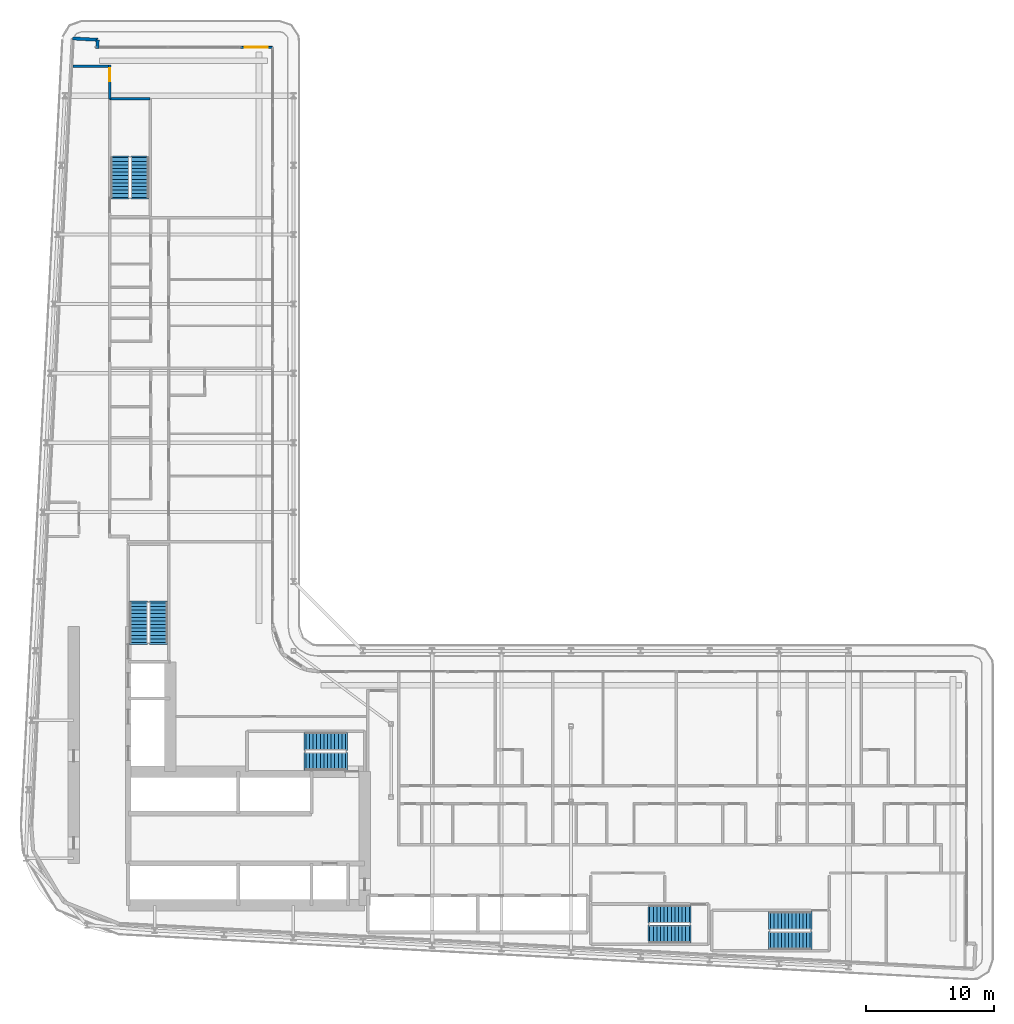
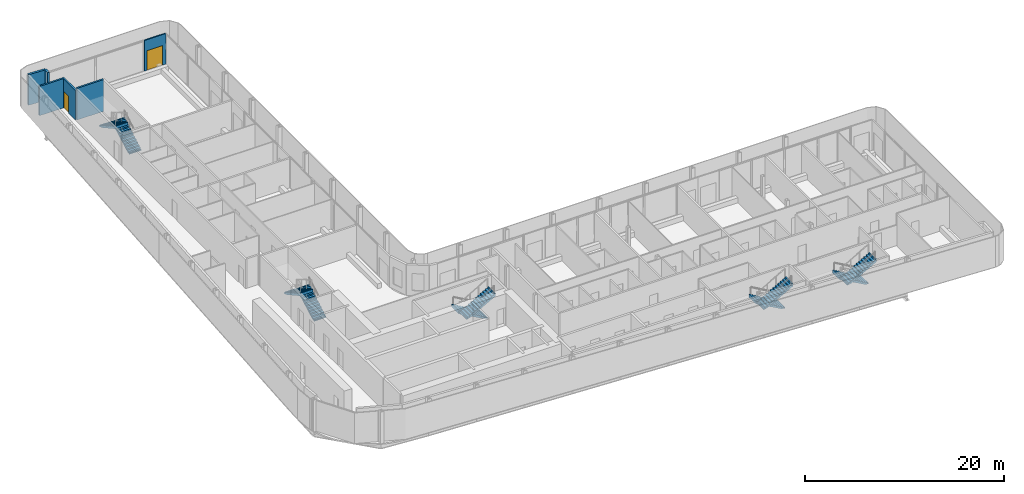
# One storey, part 19 of 26: 10 stair flights, 6 walls, 2 doors, 2 openings, 5 elements without a shape of their own.
"""IFC4 building model written with IfcOpenShell, lengths in metres."""

import ifcopenshell
import ifcopenshell.guid

model = None  # the IFC model being written
_history = None  # IfcOwnerHistory: only IFC2X3 demands one
_inside = {}  # id of a spatial element -> (the spatial element, [elements in it])
_under = {}  # id of a project, library or spatial element -> (it, [spatial elements below it])
_declared = {}  # id of a project -> (the project, [libraries it declares])
_typed = {}  # id of a type object -> (the type object, [elements of that type])
_made_of = {}  # id of a material, layer set ... -> (it, [elements and type objects made of it])


def new_model(schema):
    """Start an empty IFC model of exactly this schema.

    Asked for "IFC4X3", IfcOpenShell would pick the latest addendum, in which some entities
    have other attributes; the version numbers below select the first issue.
    IFC2X3 requires an IfcOwnerHistory on every rooted entity: one is made here for all.
    """
    global model, _history
    if schema == "IFC4X3":
        model = ifcopenshell.file(schema_version=(4, 3, 0, 0))
    else:
        model = ifcopenshell.file(schema=schema)
    _inside.clear()
    _under.clear()
    _declared.clear()
    _typed.clear()
    _made_of.clear()
    _history = None
    if model.schema == "IFC2X3":
        org = make("IfcOrganization", Name="unknown")
        user = make(
            "IfcPersonAndOrganization",
            ThePerson=make("IfcPerson", FamilyName="unknown"),
            TheOrganization=org,
        )
        app = make(
            "IfcApplication",
            ApplicationDeveloper=org,
            Version="unknown",
            ApplicationFullName="unknown",
            ApplicationIdentifier="unknown",
        )
        _history = make(
            "IfcOwnerHistory",
            OwningUser=user,
            OwningApplication=app,
            ChangeAction="ADDED",
            CreationDate=0,
        )
    return model


def make(cls, **values):
    """One entity of the class cls with the attributes given. An attribute that is None is left unset."""
    return model.create_entity(
        cls, **{name: value for name, value in values.items() if value is not None}
    )


def rooted(cls, **values):
    """An entity with a GlobalId (a new one), such as an element, a storey or a relation."""
    return make(cls, GlobalId=ifcopenshell.guid.new(), OwnerHistory=_history, **values)


def si_unit(unit_type, name, prefix=None):
    """IfcSIUnit, for example si_unit("LENGTHUNIT", "METRE", prefix="MILLI")."""
    return make("IfcSIUnit", UnitType=unit_type, Prefix=prefix, Name=name)


def assignment(units):
    """IfcUnitAssignment: the units of a project."""
    return None if units is None else make("IfcUnitAssignment", Units=units)


def point(xyz):
    """IfcCartesianPoint."""
    return None if xyz is None else make("IfcCartesianPoint", Coordinates=xyz)


def direction(xyz):
    """IfcDirection."""
    return None if xyz is None else make("IfcDirection", DirectionRatios=xyz)


def frame(location, z_axis=None, x_axis=None):
    """IfcAxis2Placement3D, a coordinate frame: its origin and axes. An axis left out is left unset."""
    return make(
        "IfcAxis2Placement3D",
        Location=point(location),
        Axis=direction(z_axis),
        RefDirection=direction(x_axis),
    )


def frame_2d(location, x_axis=None):
    """IfcAxis2Placement2D, a coordinate frame in the plane: its origin and x axis."""
    return make(
        "IfcAxis2Placement2D", Location=point(location), RefDirection=direction(x_axis)
    )


def origin():
    """The frame at (0, 0, 0) with its axes left unset."""
    return frame((0.0, 0.0, 0.0))


def place(relative_to, where):
    """IfcLocalPlacement: puts the frame where relative to a parent placement (None: the world)."""
    return make(
        "IfcLocalPlacement", PlacementRelTo=relative_to, RelativePlacement=where
    )


def context(
    kind, dimensions, precision=None, world=None, true_north=None, identifier=None
):
    """IfcGeometricRepresentationContext, for example the 3D "Model" context."""
    return make(
        "IfcGeometricRepresentationContext",
        ContextIdentifier=identifier,
        ContextType=kind,
        CoordinateSpaceDimension=dimensions,
        Precision=precision,
        WorldCoordinateSystem=world,
        TrueNorth=true_north,
    )


def subcontext(parent, identifier, kind, view, scale=None):
    """IfcGeometricRepresentationSubContext, for example "Body" below "Model"."""
    return make(
        "IfcGeometricRepresentationSubContext",
        ContextIdentifier=identifier,
        ContextType=kind,
        ParentContext=parent,
        TargetScale=scale,
        TargetView=view,
    )


def project(units=None, contexts=None):
    """IfcProject with its units and contexts."""
    return rooted(
        "IfcProject",
        Name="project",
        RepresentationContexts=contexts,
        UnitsInContext=assignment(units),
    )


def spatial(cls, under=None, at=None, **own):
    """A site, building, storey or space (cls), placed at a placement, below another one or the project."""
    s = rooted(cls, ObjectPlacement=at, **own)
    if under is not None:
        _under.setdefault(under.id(), (under, []))[1].append(s)
    return s


def polyline(points):
    """IfcPolyline through the points."""
    return make("IfcPolyline", Points=[point(p) for p in points])


def profile(cls, at=None, kind="AREA", **sizes):
    """A parametric profile (cls). Its sizes go by their IFC names, for example OverallWidth=200.0."""
    return make(cls, ProfileType=kind, Position=at, **sizes)


def rectangle(**sizes):
    """IfcRectangleProfileDef."""
    return profile("IfcRectangleProfileDef", **sizes)


def outline(outer, holes=None, kind="AREA"):
    """IfcArbitraryClosedProfileDef: a profile drawn as a closed curve; with holes, ...WithVoids."""
    if holes is None:
        return make("IfcArbitraryClosedProfileDef", ProfileType=kind, OuterCurve=outer)
    return make(
        "IfcArbitraryProfileDefWithVoids",
        ProfileType=kind,
        OuterCurve=outer,
        InnerCurves=holes,
    )


def extrude(swept, where, along, depth):
    """IfcExtrudedAreaSolid: the profile swept, set in the frame where, extruded along a direction by depth."""
    return make(
        "IfcExtrudedAreaSolid",
        SweptArea=swept,
        Position=where,
        ExtrudedDirection=direction(along),
        Depth=depth,
    )


def shape(context_of_items, identifier, shape_type, items):
    """IfcShapeRepresentation: the items that make up one representation, for example the "Body"."""
    return make(
        "IfcShapeRepresentation",
        ContextOfItems=context_of_items,
        RepresentationIdentifier=identifier,
        RepresentationType=shape_type,
        Items=items,
    )


def source(mapping_origin, context_of_items, identifier, shape_type, items):
    """IfcRepresentationMap: a shape defined once, which mapped items show again and again."""
    return make(
        "IfcRepresentationMap",
        MappingOrigin=mapping_origin,
        MappedRepresentation=shape(context_of_items, identifier, shape_type, items),
    )


def transform(
    local_origin,
    x_axis=None,
    y_axis=None,
    z_axis=None,
    scale=None,
    scale2=None,
    scale3=None,
    uniform=True,
):
    """IfcCartesianTransformationOperator3D, or its non-uniform kind. x_axis, y_axis, z_axis: its Axis1, 2, 3."""
    if uniform:
        return make(
            "IfcCartesianTransformationOperator3D",
            Axis1=direction(x_axis),
            Axis2=direction(y_axis),
            LocalOrigin=point(local_origin),
            Scale=scale,
            Axis3=direction(z_axis),
        )
    return make(
        "IfcCartesianTransformationOperator3DnonUniform",
        Axis1=direction(x_axis),
        Axis2=direction(y_axis),
        LocalOrigin=point(local_origin),
        Scale=scale,
        Axis3=direction(z_axis),
        Scale2=scale2,
        Scale3=scale3,
    )


def mapped(mapping_source, mapping_target):
    """IfcMappedItem: shows the shape of a source again, moved by a transform."""
    return make(
        "IfcMappedItem", MappingSource=mapping_source, MappingTarget=mapping_target
    )


def material(Name=None, Category=None):
    """IfcMaterial."""
    return make("IfcMaterial", Name=Name, Category=Category)


def layer(
    of_material, thickness, ventilated=None, Name=None, Category=None, Priority=None
):
    """IfcMaterialLayer: one layer of a wall or slab, of a material (None: an air gap)."""
    return make(
        "IfcMaterialLayer",
        Material=of_material,
        LayerThickness=thickness,
        IsVentilated=ventilated,
        Name=Name,
        Category=Category,
        Priority=Priority,
    )


def layer_set(layers, Name=None):
    """IfcMaterialLayerSet."""
    return make("IfcMaterialLayerSet", MaterialLayers=layers, LayerSetName=Name)


def made_of(thing, what):
    """Note that an element or type object is made of a material, layer set ...; save() writes the relation."""
    if what is not None:
        _made_of.setdefault(what.id(), (what, []))[1].append(thing)
    return thing


def type_object(cls, material=None, **own):
    """A type object (cls), such as IfcWallType, which elements share."""
    return made_of(rooted(cls, **own), material)


def element(
    cls,
    number,
    at=None,
    inside=None,
    cuts=None,
    type_object=None,
    material=None,
    context=None,
    identifier="Body",
    shape_type=None,
    held_by="IfcProductDefinitionShape",
    body=None,
    shapes=None,
    **own,
):
    """One element of the class cls, such as IfcWall. Its Tag is "e" and its number.

    at: its placement. inside: the storey or other place that contains it. cuts: it is an
    opening in that element (IfcRelVoidsElement). A single representation is given by context,
    identifier, shape_type and body (its items); several are given by shapes. held_by: the class
    of the entity that holds the representations. save() writes the other relations.
    """
    e = rooted(cls, Tag="e%d" % number, ObjectPlacement=at, **own)
    if body is not None:
        shapes = [shape(context, identifier, shape_type, body)]
    if shapes is not None:
        e.Representation = make(held_by, Representations=shapes)
    if inside is not None:
        _inside.setdefault(inside.id(), (inside, []))[1].append(e)
    if cuts is not None:
        rooted(
            "IfcRelVoidsElement", RelatingBuildingElement=cuts, RelatedOpeningElement=e
        )
    if type_object is not None:
        _typed.setdefault(type_object.id(), (type_object, []))[1].append(e)
    return made_of(e, material)


def fill(opening, filler):
    """IfcRelFillsElement: the door or window that sits in an opening."""
    return rooted(
        "IfcRelFillsElement",
        RelatingOpeningElement=opening,
        RelatedBuildingElement=filler,
    )


def aggregate(whole, parts):
    """IfcRelAggregates: a whole, such as a stair, and the parts it consists of."""
    return rooted("IfcRelAggregates", RelatingObject=whole, RelatedObjects=parts)


def save(model, path):
    """Write the relations noted so far, then the file.

    IfcRelAggregates (storeys below a building ...), IfcRelContainedInSpatialStructure (elements
    in a storey), IfcRelDefinesByType, IfcRelAssociatesMaterial and IfcRelDeclares: one each for
    every whole, place, type object, material and project.
    """
    for whole, parts in _under.values():
        aggregate(whole, parts)
    for where, things in _inside.values():
        rooted(
            "IfcRelContainedInSpatialStructure",
            RelatedElements=things,
            RelatingStructure=where,
        )
    for kind, things in _typed.values():
        rooted("IfcRelDefinesByType", RelatedObjects=things, RelatingType=kind)
    for what, things in _made_of.values():
        rooted("IfcRelAssociatesMaterial", RelatedObjects=things, RelatingMaterial=what)
    for by, libraries in _declared.values():
        rooted("IfcRelDeclares", RelatingContext=by, RelatedDefinitions=libraries)
    model.write(path)


model = new_model("IFC4")

# Units and contexts
model_context = context("Model", 3, precision=1e-05, world=origin(), true_north=direction((0.0, 1.0)))
body_context = subcontext(model_context, "Body", "Model", "MODEL_VIEW")
ifc_project = project(units=[si_unit("LENGTHUNIT", "METRE"), si_unit("AREAUNIT", "SQUARE_METRE"), si_unit("VOLUMEUNIT", "CUBIC_METRE"), si_unit("PLANEANGLEUNIT", "RADIAN"), si_unit("MASSUNIT", "GRAM", prefix="KILO")], contexts=[model_context])

# Site, building, storey
site_placement = place(None, origin())
site = spatial("IfcSite", under=ifc_project, at=site_placement, CompositionType="ELEMENT")
building_placement = place(site_placement, origin())
building = spatial("IfcBuilding", under=site, at=building_placement, Name="Kheshtan School and Residences Tower", CompositionType="ELEMENT")
storey_placement = place(building_placement, frame((0.0, 0.0, 105.800048828125)))
storey = spatial("IfcBuildingStorey", under=building, at=storey_placement, Name="L24", CompositionType="ELEMENT", Elevation=105.800048828125)

# Wall
ifc_material_1 = material(Name="Gypsum board on steel studs with fire boards", Category="steel")
ifc_layer_1 = layer(ifc_material_1, 0.199951171875)
ifc_layer_set_1 = layer_set([ifc_layer_1], Name="Corridor wall 200")
wall_type_1 = type_object("IfcWallType", Name="Corridor wall 200", PredefinedType="PARTITIONING", material=ifc_layer_set_1)
wall_1_placement = place(storey_placement, frame((30.432373046875, 91.10009765625, 0.0), z_axis=(0.0, 0.0, 1.0), x_axis=(1.0, 0.0, 0.0)))
element("IfcWall", 1, at=wall_1_placement, inside=storey, type_object=wall_type_1, Name="Partition L24-001", PredefinedType="PARTITIONING", context=body_context, shape_type="SweptSolid", body=[
    extrude(rectangle(XDim=2.767578125, YDim=0.199951171875, at=frame_2d((1.3837890625, 0.0))), origin(), (0.0, 0.0, 1.0), 3.599853515625),
])

# Wall, opening, door
wall_2_placement = place(storey_placement, frame((33.300048828125, 88.56005859375, 0.0), z_axis=(0.0, 0.0, 1.0), x_axis=(0.0, 1.0, 0.0)))
wall_2 = element("IfcWall", 2, at=wall_2_placement, inside=storey, type_object=wall_type_1, Name="Partition L24-004", PredefinedType="PARTITIONING", context=body_context, shape_type="SweptSolid", body=[
    extrude(rectangle(XDim=2.639892578125, YDim=0.199951171875, at=frame_2d((1.31982421875, 0.0))), origin(), (0.0, 0.0, 1.0), 3.599853515625),
])
opening_1_placement = place(wall_2_placement, frame((1.389892578125, 0.0, 0.0)))
opening_1 = element("IfcOpeningElement", 3, at=opening_1_placement, cuts=wall_2, Name="Opening D23-503", PredefinedType="OPENING", context=body_context, shape_type="SweptSolid", body=[
    extrude(rectangle(XDim=1.0, YDim=2.10009765625, at=frame_2d((0.5, 1.050048828125))), frame((0.0, 0.10986328125, 0.0), z_axis=(0.0, -1.0, 0.0), x_axis=(1.0, 0.0, 0.0)), (0.0, 0.0, 1.0), 0.219970703125),
])
ifc_material_2 = material(Name="Steel-framed fire-resisting door leaf", Category="steel")
door_type_1 = type_object("IfcDoorType", Name="Fire door FD60 1000 x 2100", OperationType="SINGLE_SWING_LEFT", PredefinedType="DOOR", material=ifc_material_2)
shared_shape_1 = source(origin(), body_context, "Body", "SweptSolid", [
    extrude(rectangle(XDim=1.0, YDim=2.10009765625, at=frame_2d((0.5, 1.050048828125))), frame((0.0, 0.02490234375, 0.0), z_axis=(0.0, -1.0, 0.0), x_axis=(1.0, 0.0, 0.0)), (0.0, 0.0, 1.0), 0.050048828125),
])
door_1_placement = place(opening_1_placement, origin())
door_1 = element("IfcDoor", 4, at=door_1_placement, inside=storey, type_object=door_type_1, Name="Door D23-503", OperationType="SINGLE_SWING_RIGHT", OverallHeight=2.10009765625, OverallWidth=1.0, PredefinedType="DOOR", context=body_context, shape_type="MappedRepresentation", body=[
    mapped(shared_shape_1, transform((0.0, 0.0, 0.0), x_axis=(1.0, 0.0, 0.0), y_axis=(0.0, 1.0, 0.0), z_axis=(0.0, 0.0, 1.0), scale=1.0)),
])
fill(opening_1, door_1)

# Walls
ifc_material_3 = material(Name="Concrete C40/50 with ceramic cladding and mineral wool insulation", Category="concrete")
ifc_layer_2 = layer(ifc_material_3, 0.25)
ifc_layer_set_2 = layer_set([ifc_layer_2], Name="External wall 250 ceramic clad")
wall_type_2 = type_object("IfcWallType", Name="External wall 250 ceramic clad", PredefinedType="SOLIDWALL", material=ifc_layer_set_2)
wall_3_placement = place(storey_placement, frame((30.4208984375, 93.263916015625, 0.0), z_axis=(0.0, 0.0, 1.0), x_axis=(0.998577785791, -0.053314216913, 0.0)))
element("IfcWall", 5, at=wall_3_placement, inside=storey, type_object=wall_type_2, Name="External wall L24 1", PredefinedType="SOLIDWALL", context=body_context, shape_type="SweptSolid", body=[
    extrude(rectangle(XDim=1.95068359375, YDim=0.25, at=frame_2d((0.975341796875, 0.0))), origin(), (0.0, 0.0, 1.0), 3.75),
])
wall_4_placement = place(storey_placement, frame((32.368896484375, 93.159912109375, 0.0), z_axis=(0.0, 0.0, 1.0), x_axis=(-0.053729014033, -0.998555553312, 0.0)))
element("IfcWall", 6, at=wall_4_placement, inside=storey, type_object=wall_type_2, Name="External wall L24 2", PredefinedType="SOLIDWALL", context=body_context, shape_type="SweptSolid", body=[
    extrude(rectangle(XDim=0.66796875, YDim=0.25, at=frame_2d((0.333984375, 0.0))), origin(), (0.0, 0.0, 1.0), 3.75),
])

# Wall, opening, door
ifc_material_4 = material(Name="Aluminium frame wall with insulated infill", Category="aluminium")
ifc_layer_3 = layer(ifc_material_4, 0.14990234375)
ifc_layer_set_3 = layer_set([ifc_layer_3], Name="Glazing frame wall 150")
wall_type_3 = type_object("IfcWallType", Name="Glazing frame wall 150", PredefinedType="SOLIDWALL", material=ifc_layer_set_3)
wall_5_placement = place(storey_placement, frame((43.5, 92.574951171875, 0.0), z_axis=(0.0, 0.0, 1.0), x_axis=(1.0, 0.0, 0.0)))
wall_5 = element("IfcWall", 7, at=wall_5_placement, inside=storey, type_object=wall_type_3, Name="Balcony door wall L24 3.1", PredefinedType="SOLIDWALL", context=body_context, shape_type="SweptSolid", body=[
    extrude(rectangle(XDim=2.470947265625, YDim=0.14990234375, at=frame_2d((1.2353515625, 0.0))), origin(), (0.0, 0.0, 1.0), 3.75),
])
opening_2_placement = place(wall_5_placement, frame((0.300048828125, 0.0, 0.0)))
opening_2 = element("IfcOpeningElement", 8, at=opening_2_placement, cuts=wall_5, Name="Opening BD", PredefinedType="OPENING", context=body_context, shape_type="SweptSolid", body=[
    extrude(rectangle(XDim=1.800048828125, YDim=2.39990234375, at=frame_2d((0.89990234375, 1.199951171875))), frame((0.0, 0.0849609375, 0.0), z_axis=(0.0, -1.0, 0.0), x_axis=(1.0, 0.0, 0.0)), (0.0, 0.0, 1.0), 0.169921875),
])
ifc_material_5 = material(Name="Clear low-e glass in thermally broken aluminium frame", Category="aluminium")
door_type_2 = type_object("IfcDoorType", Name="Balcony sliding door", OperationType="SLIDING_TO_LEFT", PredefinedType="DOOR", material=ifc_material_5)
shared_shape_2 = source(origin(), body_context, "Body", "SweptSolid", [
    extrude(rectangle(XDim=1.800048828125, YDim=2.39990234375, at=frame_2d((0.89990234375, 1.199951171875))), frame((0.0, 0.02490234375, 0.0), z_axis=(0.0, -1.0, 0.0), x_axis=(1.0, 0.0, 0.0)), (0.0, 0.0, 1.0), 0.050048828125),
])
door_2_placement = place(opening_2_placement, origin())
door_2 = element("IfcDoor", 9, at=door_2_placement, inside=storey, type_object=door_type_2, Name="Balcony door L24 3.1", OperationType="SLIDING_TO_LEFT", OverallHeight=2.39990234375, OverallWidth=1.800048828125, PredefinedType="DOOR", context=body_context, shape_type="MappedRepresentation", body=[
    mapped(shared_shape_2, transform((0.0, 0.0, 0.0), x_axis=(1.0, 0.0, 0.0), y_axis=(0.0, 1.0, 0.0), z_axis=(0.0, 0.0, 1.0), scale=1.0)),
])
fill(opening_2, door_2)

# Wall
ifc_material_6 = material(Name="Concrete C40/50", Category="concrete")
ifc_layer_4 = layer(ifc_material_6, 0.199951171875)
ifc_layer_set_4 = layer_set([ifc_layer_4], Name="Stair enclosure wall 200 Concrete C40/50")
wall_type_4 = type_object("IfcWallType", Name="Stair enclosure wall 200 Concrete C40/50", PredefinedType="SHEAR", material=ifc_layer_set_4)
wall_6_placement = place(storey_placement, frame((33.300048828125, 88.56005859375, 0.0), z_axis=(0.0, 0.0, 1.0), x_axis=(1.0, 0.0, 0.0)))
element("IfcWall", 10, at=wall_6_placement, inside=storey, type_object=wall_type_4, Name="Stair enclosure wall ST3", PredefinedType="SHEAR", context=body_context, shape_type="SweptSolid", body=[
    extrude(rectangle(XDim=3.14990234375, YDim=0.199951171875, at=frame_2d((1.574951171875, 0.0))), origin(), (0.0, 0.0, 1.0), 3.89990234375),
])

# Stair, stair flights
stair_type = type_object("IfcStairType", Name="Exit stair, half-turn", PredefinedType="HALF_TURN_STAIR", material=ifc_material_6)
stair_1_placement = place(storey_placement, origin())
stair_1 = element("IfcStair", 11, at=stair_1_placement, inside=storey, type_object=stair_type, Name="L24 Protected Exit Stair ST1", PredefinedType="HALF_TURN_STAIR")
ifc_layer_5 = layer(ifc_material_6, 0.14990234375)
ifc_layer_set_5 = layer_set([ifc_layer_5], Name="Stair flight 1400 Concrete C40/50")
stair_flight_type = type_object("IfcStairFlightType", Name="Stair flight 1400 Concrete C40/50", PredefinedType="STRAIGHT", material=ifc_layer_set_5)
stair_flight_1_placement = place(storey_placement, frame((51.64990234375, 38.550048828125, 0.0), z_axis=(0.0, 0.0, 1.0), x_axis=(-1.0, 0.0, 0.0)))
stair_flight_1 = element("IfcStairFlight", 12, at=stair_flight_1_placement, type_object=stair_flight_type, Name="ST1 flight 1", NumberOfRisers=12, NumberOfTreads=11, PredefinedType="STRAIGHT", RiserHeight=0.1625, TreadLength=0.28, context=body_context, shape_type="SweptSolid", body=[
    extrude(outline(polyline([(-0.14990234375, -0.10009765625), (-0.14990234375, 0.0), (0.0, 0.0), (0.0, 0.16259765625), (0.280029296875, 0.16259765625), (0.280029296875, 0.324951171875), (0.56005859375, 0.324951171875), (0.56005859375, 0.487548828125), (0.840087890625, 0.487548828125), (0.840087890625, 0.64990234375), (1.1201171875, 0.64990234375), (1.1201171875, 0.8125), (1.39990234375, 0.8125), (1.39990234375, 0.97509765625), (1.679931640625, 0.97509765625), (1.679931640625, 1.137451171875), (1.9599609375, 1.137451171875), (1.9599609375, 1.300048828125), (2.239990234375, 1.300048828125), (2.239990234375, 1.46240234375), (2.52001953125, 1.46240234375), (2.52001953125, 1.625), (2.800048828125, 1.625), (2.800048828125, 1.78759765625), (3.080078125, 1.78759765625), (3.080078125, 1.949951171875), (3.080078125, 1.969970703125), (3.22998046875, 1.969970703125), (3.22998046875, 1.6142578125), (0.298583984375, 0.0), (-0.14990234375, -0.10009765625)])), frame((0.0, 0.699951171875, 0.0), z_axis=(0.0, -1.0, 0.0), x_axis=(1.0, 0.0, 0.0)), (0.0, 0.0, 1.0), 1.39990234375),
])
stair_flight_2_placement = place(storey_placement, frame((48.570068359375, 37.0, 1.949951171875), z_axis=(0.0, 0.0, 1.0), x_axis=(1.0, 0.0, 0.0)))
stair_flight_2 = element("IfcStairFlight", 13, at=stair_flight_2_placement, type_object=stair_flight_type, Name="ST1 flight 2", NumberOfRisers=12, NumberOfTreads=11, PredefinedType="STRAIGHT", RiserHeight=0.1625, TreadLength=0.28, context=body_context, shape_type="SweptSolid", body=[
    extrude(outline(polyline([(-0.14990234375, -0.10009765625), (-0.14990234375, 0.0), (0.0, 0.0), (0.0, 0.16259765625), (0.280029296875, 0.16259765625), (0.280029296875, 0.324951171875), (0.56005859375, 0.324951171875), (0.56005859375, 0.487548828125), (0.840087890625, 0.487548828125), (0.840087890625, 0.64990234375), (1.1201171875, 0.64990234375), (1.1201171875, 0.8125), (1.39990234375, 0.8125), (1.39990234375, 0.97509765625), (1.679931640625, 0.97509765625), (1.679931640625, 1.137451171875), (1.9599609375, 1.137451171875), (1.9599609375, 1.300048828125), (2.239990234375, 1.300048828125), (2.239990234375, 1.46240234375), (2.52001953125, 1.46240234375), (2.52001953125, 1.625), (2.800048828125, 1.625), (2.800048828125, 1.78759765625), (3.080078125, 1.78759765625), (3.080078125, 1.949951171875), (3.080078125, 1.969970703125), (3.22998046875, 1.969970703125), (3.22998046875, 1.6142578125), (0.298583984375, 0.0), (-0.14990234375, -0.10009765625)])), frame((0.0, 0.699951171875, 0.0), z_axis=(0.0, -1.0, 0.0), x_axis=(1.0, 0.0, 0.0)), (0.0, 0.0, 1.0), 1.39990234375),
])
aggregate(stair_1, [stair_flight_1, stair_flight_2])

stair_2_placement = place(storey_placement, origin())
stair_2 = element("IfcStair", 14, at=stair_2_placement, inside=storey, type_object=stair_type, Name="L24 Protected Exit Stair ST2", PredefinedType="HALF_TURN_STAIR")
stair_flight_3_placement = place(storey_placement, frame((37.10009765625, 46.25, 0.0), z_axis=(0.0, 0.0, 1.0), x_axis=(0.0, 1.0, 0.0)))
stair_flight_3 = element("IfcStairFlight", 15, at=stair_flight_3_placement, type_object=stair_flight_type, Name="ST2 flight 1", NumberOfRisers=12, NumberOfTreads=11, PredefinedType="STRAIGHT", RiserHeight=0.1625, TreadLength=0.28, context=body_context, shape_type="SweptSolid", body=[
    extrude(outline(polyline([(-0.14990234375, -0.10009765625), (-0.14990234375, 0.0), (0.0, 0.0), (0.0, 0.16259765625), (0.280029296875, 0.16259765625), (0.280029296875, 0.324951171875), (0.56005859375, 0.324951171875), (0.56005859375, 0.487548828125), (0.840087890625, 0.487548828125), (0.840087890625, 0.64990234375), (1.1201171875, 0.64990234375), (1.1201171875, 0.8125), (1.39990234375, 0.8125), (1.39990234375, 0.97509765625), (1.679931640625, 0.97509765625), (1.679931640625, 1.137451171875), (1.9599609375, 1.137451171875), (1.9599609375, 1.300048828125), (2.239990234375, 1.300048828125), (2.239990234375, 1.46240234375), (2.52001953125, 1.46240234375), (2.52001953125, 1.625), (2.800048828125, 1.625), (2.800048828125, 1.78759765625), (3.080078125, 1.78759765625), (3.080078125, 1.949951171875), (3.080078125, 1.969970703125), (3.22998046875, 1.969970703125), (3.22998046875, 1.6142578125), (0.298583984375, 0.0), (-0.14990234375, -0.10009765625)])), frame((0.0, 0.699951171875, 0.0), z_axis=(0.0, -1.0, 0.0), x_axis=(1.0, 0.0, 0.0)), (0.0, 0.0, 1.0), 1.39990234375),
])
stair_flight_4_placement = place(storey_placement, frame((35.550048828125, 49.330078125, 1.949951171875), z_axis=(0.0, 0.0, 1.0), x_axis=(0.0, -1.0, 0.0)))
stair_flight_4 = element("IfcStairFlight", 16, at=stair_flight_4_placement, type_object=stair_flight_type, Name="ST2 flight 2", NumberOfRisers=12, NumberOfTreads=11, PredefinedType="STRAIGHT", RiserHeight=0.1625, TreadLength=0.28, context=body_context, shape_type="SweptSolid", body=[
    extrude(outline(polyline([(-0.14990234375, -0.10009765625), (-0.14990234375, 0.0), (0.0, 0.0), (0.0, 0.16259765625), (0.280029296875, 0.16259765625), (0.280029296875, 0.324951171875), (0.56005859375, 0.324951171875), (0.56005859375, 0.487548828125), (0.840087890625, 0.487548828125), (0.840087890625, 0.64990234375), (1.1201171875, 0.64990234375), (1.1201171875, 0.8125), (1.39990234375, 0.8125), (1.39990234375, 0.97509765625), (1.679931640625, 0.97509765625), (1.679931640625, 1.137451171875), (1.9599609375, 1.137451171875), (1.9599609375, 1.300048828125), (2.239990234375, 1.300048828125), (2.239990234375, 1.46240234375), (2.52001953125, 1.46240234375), (2.52001953125, 1.625), (2.800048828125, 1.625), (2.800048828125, 1.78759765625), (3.080078125, 1.78759765625), (3.080078125, 1.949951171875), (3.080078125, 1.969970703125), (3.22998046875, 1.969970703125), (3.22998046875, 1.6142578125), (0.298583984375, 0.0), (-0.14990234375, -0.10009765625)])), frame((0.0, 0.699951171875, 0.0), z_axis=(0.0, -1.0, 0.0), x_axis=(1.0, 0.0, 0.0)), (0.0, 0.0, 1.0), 1.39990234375),
])
aggregate(stair_2, [stair_flight_3, stair_flight_4])

stair_3_placement = place(storey_placement, origin())
stair_3 = element("IfcStair", 17, at=stair_3_placement, inside=storey, type_object=stair_type, Name="L24 Protected Exit Stair ST3", PredefinedType="HALF_TURN_STAIR")
stair_flight_5_placement = place(storey_placement, frame((35.64990234375, 80.89990234375, 0.0), z_axis=(0.0, 0.0, 1.0), x_axis=(0.0, 1.0, 0.0)))
stair_flight_5 = element("IfcStairFlight", 18, at=stair_flight_5_placement, type_object=stair_flight_type, Name="ST3 flight 1", NumberOfRisers=12, NumberOfTreads=11, PredefinedType="STRAIGHT", RiserHeight=0.1625, TreadLength=0.28, context=body_context, shape_type="SweptSolid", body=[
    extrude(outline(polyline([(-0.14990234375, -0.10009765625), (-0.14990234375, 0.0), (0.0, 0.0), (0.0, 0.16259765625), (0.280029296875, 0.16259765625), (0.280029296875, 0.324951171875), (0.56005859375, 0.324951171875), (0.56005859375, 0.487548828125), (0.840087890625, 0.487548828125), (0.840087890625, 0.64990234375), (1.1201171875, 0.64990234375), (1.1201171875, 0.8125), (1.39990234375, 0.8125), (1.39990234375, 0.97509765625), (1.679931640625, 0.97509765625), (1.679931640625, 1.137451171875), (1.9599609375, 1.137451171875), (1.9599609375, 1.300048828125), (2.239990234375, 1.300048828125), (2.239990234375, 1.46240234375), (2.52001953125, 1.46240234375), (2.52001953125, 1.625), (2.800048828125, 1.625), (2.800048828125, 1.78759765625), (3.080078125, 1.78759765625), (3.080078125, 1.949951171875), (3.080078125, 1.969970703125), (3.22998046875, 1.969970703125), (3.22998046875, 1.6142578125), (0.298583984375, 0.0), (-0.14990234375, -0.10009765625)])), frame((0.0, 0.699951171875, 0.0), z_axis=(0.0, -1.0, 0.0), x_axis=(1.0, 0.0, 0.0)), (0.0, 0.0, 1.0), 1.39990234375),
])
stair_flight_6_placement = place(storey_placement, frame((34.10009765625, 83.97998046875, 1.949951171875), z_axis=(0.0, 0.0, 1.0), x_axis=(0.0, -1.0, 0.0)))
stair_flight_6 = element("IfcStairFlight", 19, at=stair_flight_6_placement, type_object=stair_flight_type, Name="ST3 flight 2", NumberOfRisers=12, NumberOfTreads=11, PredefinedType="STRAIGHT", RiserHeight=0.1625, TreadLength=0.28, context=body_context, shape_type="SweptSolid", body=[
    extrude(outline(polyline([(-0.14990234375, -0.10009765625), (-0.14990234375, 0.0), (0.0, 0.0), (0.0, 0.16259765625), (0.280029296875, 0.16259765625), (0.280029296875, 0.324951171875), (0.56005859375, 0.324951171875), (0.56005859375, 0.487548828125), (0.840087890625, 0.487548828125), (0.840087890625, 0.64990234375), (1.1201171875, 0.64990234375), (1.1201171875, 0.8125), (1.39990234375, 0.8125), (1.39990234375, 0.97509765625), (1.679931640625, 0.97509765625), (1.679931640625, 1.137451171875), (1.9599609375, 1.137451171875), (1.9599609375, 1.300048828125), (2.239990234375, 1.300048828125), (2.239990234375, 1.46240234375), (2.52001953125, 1.46240234375), (2.52001953125, 1.625), (2.800048828125, 1.625), (2.800048828125, 1.78759765625), (3.080078125, 1.78759765625), (3.080078125, 1.949951171875), (3.080078125, 1.969970703125), (3.22998046875, 1.969970703125), (3.22998046875, 1.6142578125), (0.298583984375, 0.0), (-0.14990234375, -0.10009765625)])), frame((0.0, 0.699951171875, 0.0), z_axis=(0.0, -1.0, 0.0), x_axis=(1.0, 0.0, 0.0)), (0.0, 0.0, 1.0), 1.39990234375),
])
aggregate(stair_3, [stair_flight_5, stair_flight_6])

stair_4_placement = place(storey_placement, origin())
stair_4 = element("IfcStair", 20, at=stair_4_placement, inside=storey, type_object=stair_type, Name="L24 Protected Exit Stair ST4", PredefinedType="HALF_TURN_STAIR")
stair_flight_7_placement = place(storey_placement, frame((87.820068359375, 24.60009765625, 0.0), z_axis=(0.0, 0.0, 1.0), x_axis=(-1.0, 0.0, 0.0)))
stair_flight_7 = element("IfcStairFlight", 21, at=stair_flight_7_placement, type_object=stair_flight_type, Name="ST4 flight 1", NumberOfRisers=12, NumberOfTreads=11, PredefinedType="STRAIGHT", RiserHeight=0.1625, TreadLength=0.28, context=body_context, shape_type="SweptSolid", body=[
    extrude(outline(polyline([(-0.14990234375, -0.10009765625), (-0.14990234375, 0.0), (0.0, 0.0), (0.0, 0.16259765625), (0.280029296875, 0.16259765625), (0.280029296875, 0.324951171875), (0.56005859375, 0.324951171875), (0.56005859375, 0.487548828125), (0.840087890625, 0.487548828125), (0.840087890625, 0.64990234375), (1.1201171875, 0.64990234375), (1.1201171875, 0.8125), (1.39990234375, 0.8125), (1.39990234375, 0.97509765625), (1.679931640625, 0.97509765625), (1.679931640625, 1.137451171875), (1.9599609375, 1.137451171875), (1.9599609375, 1.300048828125), (2.239990234375, 1.300048828125), (2.239990234375, 1.46240234375), (2.52001953125, 1.46240234375), (2.52001953125, 1.625), (2.800048828125, 1.625), (2.800048828125, 1.78759765625), (3.080078125, 1.78759765625), (3.080078125, 1.949951171875), (3.080078125, 1.969970703125), (3.22998046875, 1.969970703125), (3.22998046875, 1.6142578125), (0.298583984375, 0.0), (-0.14990234375, -0.10009765625)])), frame((0.0, 0.699951171875, 0.0), z_axis=(0.0, -1.0, 0.0), x_axis=(1.0, 0.0, 0.0)), (0.0, 0.0, 1.0), 1.39990234375),
])
stair_flight_8_placement = place(storey_placement, frame((84.739990234375, 23.050048828125, 1.949951171875), z_axis=(0.0, 0.0, 1.0), x_axis=(1.0, 0.0, 0.0)))
stair_flight_8 = element("IfcStairFlight", 22, at=stair_flight_8_placement, type_object=stair_flight_type, Name="ST4 flight 2", NumberOfRisers=12, NumberOfTreads=11, PredefinedType="STRAIGHT", RiserHeight=0.1625, TreadLength=0.28, context=body_context, shape_type="SweptSolid", body=[
    extrude(outline(polyline([(-0.14990234375, -0.10009765625), (-0.14990234375, 0.0), (0.0, 0.0), (0.0, 0.16259765625), (0.280029296875, 0.16259765625), (0.280029296875, 0.324951171875), (0.56005859375, 0.324951171875), (0.56005859375, 0.487548828125), (0.840087890625, 0.487548828125), (0.840087890625, 0.64990234375), (1.1201171875, 0.64990234375), (1.1201171875, 0.8125), (1.39990234375, 0.8125), (1.39990234375, 0.97509765625), (1.679931640625, 0.97509765625), (1.679931640625, 1.137451171875), (1.9599609375, 1.137451171875), (1.9599609375, 1.300048828125), (2.239990234375, 1.300048828125), (2.239990234375, 1.46240234375), (2.52001953125, 1.46240234375), (2.52001953125, 1.625), (2.800048828125, 1.625), (2.800048828125, 1.78759765625), (3.080078125, 1.78759765625), (3.080078125, 1.949951171875), (3.080078125, 1.969970703125), (3.22998046875, 1.969970703125), (3.22998046875, 1.6142578125), (0.298583984375, 0.0), (-0.14990234375, -0.10009765625)])), frame((0.0, 0.699951171875, 0.0), z_axis=(0.0, -1.0, 0.0), x_axis=(1.0, 0.0, 0.0)), (0.0, 0.0, 1.0), 1.39990234375),
])
aggregate(stair_4, [stair_flight_7, stair_flight_8])

stair_5_placement = place(storey_placement, origin())
stair_5 = element("IfcStair", 23, at=stair_5_placement, inside=storey, type_object=stair_type, Name="L24 Protected Exit Stair ST5", PredefinedType="HALF_TURN_STAIR")
stair_flight_9_placement = place(storey_placement, frame((78.409912109375, 25.10009765625, 0.0), z_axis=(0.0, 0.0, 1.0), x_axis=(-1.0, 0.0, 0.0)))
stair_flight_9 = element("IfcStairFlight", 24, at=stair_flight_9_placement, type_object=stair_flight_type, Name="ST5 flight 1", NumberOfRisers=12, NumberOfTreads=11, PredefinedType="STRAIGHT", RiserHeight=0.1625, TreadLength=0.28, context=body_context, shape_type="SweptSolid", body=[
    extrude(outline(polyline([(-0.14990234375, -0.10009765625), (-0.14990234375, 0.0), (0.0, 0.0), (0.0, 0.16259765625), (0.280029296875, 0.16259765625), (0.280029296875, 0.324951171875), (0.56005859375, 0.324951171875), (0.56005859375, 0.487548828125), (0.840087890625, 0.487548828125), (0.840087890625, 0.64990234375), (1.1201171875, 0.64990234375), (1.1201171875, 0.8125), (1.39990234375, 0.8125), (1.39990234375, 0.97509765625), (1.679931640625, 0.97509765625), (1.679931640625, 1.137451171875), (1.9599609375, 1.137451171875), (1.9599609375, 1.300048828125), (2.239990234375, 1.300048828125), (2.239990234375, 1.46240234375), (2.52001953125, 1.46240234375), (2.52001953125, 1.625), (2.800048828125, 1.625), (2.800048828125, 1.78759765625), (3.080078125, 1.78759765625), (3.080078125, 1.949951171875), (3.080078125, 1.969970703125), (3.22998046875, 1.969970703125), (3.22998046875, 1.6142578125), (0.298583984375, 0.0), (-0.14990234375, -0.10009765625)])), frame((0.0, 0.699951171875, 0.0), z_axis=(0.0, -1.0, 0.0), x_axis=(1.0, 0.0, 0.0)), (0.0, 0.0, 1.0), 1.39990234375),
])
stair_flight_10_placement = place(storey_placement, frame((75.330078125, 23.550048828125, 1.949951171875), z_axis=(0.0, 0.0, 1.0), x_axis=(1.0, 0.0, 0.0)))
stair_flight_10 = element("IfcStairFlight", 25, at=stair_flight_10_placement, type_object=stair_flight_type, Name="ST5 flight 2", NumberOfRisers=12, NumberOfTreads=11, PredefinedType="STRAIGHT", RiserHeight=0.1625, TreadLength=0.28, context=body_context, shape_type="SweptSolid", body=[
    extrude(outline(polyline([(-0.14990234375, -0.10009765625), (-0.14990234375, 0.0), (0.0, 0.0), (0.0, 0.16259765625), (0.280029296875, 0.16259765625), (0.280029296875, 0.324951171875), (0.56005859375, 0.324951171875), (0.56005859375, 0.487548828125), (0.840087890625, 0.487548828125), (0.840087890625, 0.64990234375), (1.1201171875, 0.64990234375), (1.1201171875, 0.8125), (1.39990234375, 0.8125), (1.39990234375, 0.97509765625), (1.679931640625, 0.97509765625), (1.679931640625, 1.137451171875), (1.9599609375, 1.137451171875), (1.9599609375, 1.300048828125), (2.239990234375, 1.300048828125), (2.239990234375, 1.46240234375), (2.52001953125, 1.46240234375), (2.52001953125, 1.625), (2.800048828125, 1.625), (2.800048828125, 1.78759765625), (3.080078125, 1.78759765625), (3.080078125, 1.949951171875), (3.080078125, 1.969970703125), (3.22998046875, 1.969970703125), (3.22998046875, 1.6142578125), (0.298583984375, 0.0), (-0.14990234375, -0.10009765625)])), frame((0.0, 0.699951171875, 0.0), z_axis=(0.0, -1.0, 0.0), x_axis=(1.0, 0.0, 0.0)), (0.0, 0.0, 1.0), 1.39990234375),
])
aggregate(stair_5, [stair_flight_9, stair_flight_10])

save(model, "model.ifc")
